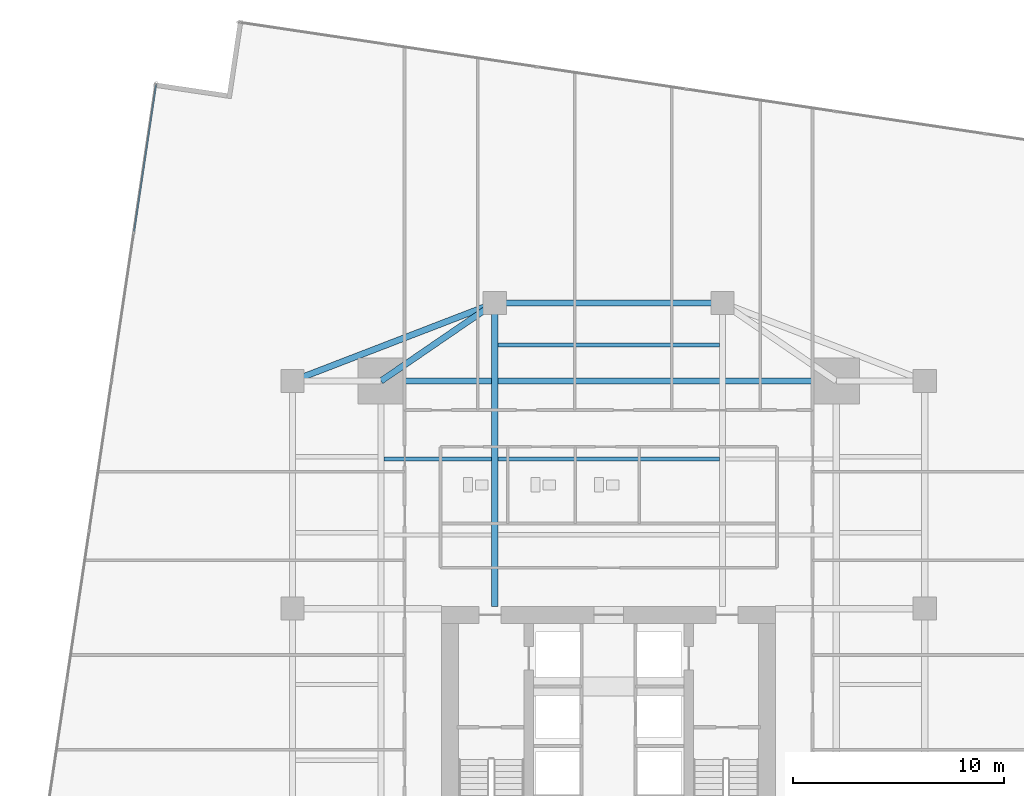
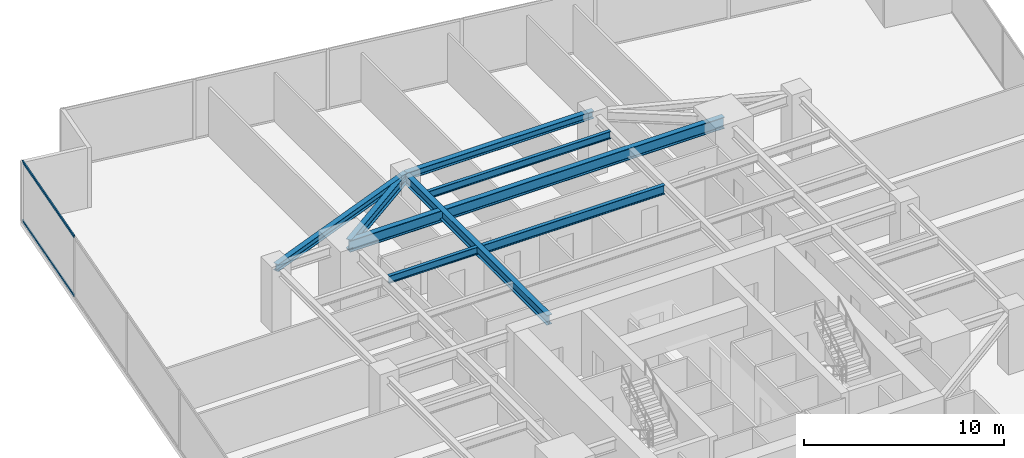
# One storey, part 17 of 29: 8 beams, 2 members, 1 element without a shape of its own.
"""IFC4 building model written with IfcOpenShell, lengths in metres."""

from ifc_helpers import new_model, si_unit, direction, frame, origin, origin_2d, place, context, subcontext, project, spatial, hollow_rectangle, i_section, extrude, source, transform, mapped, material, material_profile, profile_set, type_object, type_shapes, element, aggregate, save


model = new_model("IFC4")

# Units and contexts
model_context = context("Model", 3, precision=1e-05, world=origin(), true_north=direction((0.0, 1.0)))
body_context = subcontext(model_context, "Body", "Model", "MODEL_VIEW")
ifc_project = project(units=[si_unit("LENGTHUNIT", "METRE"), si_unit("AREAUNIT", "SQUARE_METRE"), si_unit("VOLUMEUNIT", "CUBIC_METRE"), si_unit("PLANEANGLEUNIT", "RADIAN"), si_unit("MASSUNIT", "GRAM", prefix="KILO")], contexts=[model_context])

# Site, building, storey
site_placement = place(None, origin())
site = spatial("IfcSite", under=ifc_project, at=site_placement, CompositionType="ELEMENT")
building_placement = place(site_placement, origin())
building = spatial("IfcBuilding", under=site, at=building_placement, Name="Krantzveldt Concourse Tower", CompositionType="ELEMENT")
storey_placement = place(building_placement, frame((0.0, 0.0, 72.39990234375)))
storey = spatial("IfcBuildingStorey", under=building, at=storey_placement, Name="L17", CompositionType="ELEMENT", Elevation=72.39990234375)

# Beams
ifc_material_1 = material(Name="Steel S355J2", Category="steel")
ifc_material_profile_1 = material_profile(ifc_material_1, i_section(OverallWidth=0.300048828125, OverallDepth=0.699951171875, WebThickness=0.01708984375, FlangeThickness=0.031982421875, FilletRadius=0.027099609375, at=origin_2d()), Name="Steel S355J2", Category="steel")
ifc_profile_set_1 = profile_set([ifc_material_profile_1], Name="Steel S355J2 - HEB 700")
beam_type_1 = type_object("IfcBeamType", Name="BM-B-HEB700", PredefinedType="BEAM", material=ifc_profile_set_1)
shared_shape_1 = source(origin(), body_context, "Body", "SweptSolid", [
    extrude(i_section(OverallWidth=0.300048828125, OverallDepth=0.699951171875, WebThickness=0.01708984375, FlangeThickness=0.031982421875, FilletRadius=0.027099609375, at=origin_2d()), origin(), (0.0, 0.0, 1.0), 21.60009765625),
])
type_shapes(beam_type_1, [shared_shape_1])
beam_1_placement = place(storey_placement, frame((25.199951171875, 37.5, 3.320068359375), z_axis=(1.0, 0.0, 0.0), x_axis=(0.0, 1.0, 0.0)))
element("IfcBeam", 1, at=beam_1_placement, inside=storey, type_object=beam_type_1, Name="L17 Tower Girder BG-MN", PredefinedType="BEAM", context=body_context, shape_type="MappedRepresentation", body=[
    mapped(shared_shape_1, transform((0.0, 0.0, 0.0), x_axis=(1.0, 0.0, 0.0), y_axis=(0.0, 1.0, 0.0), z_axis=(0.0, 0.0, 1.0), scale=1.0)),
])
ifc_material_2 = material(Name="Steel S355JR", Category="steel")
ifc_material_profile_2 = material_profile(ifc_material_2, i_section(OverallWidth=0.300048828125, OverallDepth=0.590087890625, WebThickness=0.012939453125, FlangeThickness=0.02490234375, FilletRadius=0.027099609375, at=origin_2d()), Name="Steel S355JR", Category="steel")
ifc_profile_set_2 = profile_set([ifc_material_profile_2], Name="Steel S355JR - HEA 600")
beam_type_2 = type_object("IfcBeamType", Name="BM-B-HEA600", PredefinedType="BEAM", material=ifc_profile_set_2)
shared_shape_2 = source(origin(), body_context, "Body", "SweptSolid", [
    extrude(i_section(OverallWidth=0.300048828125, OverallDepth=0.590087890625, WebThickness=0.012939453125, FlangeThickness=0.02490234375, FilletRadius=0.027099609375, at=origin_2d()), origin(), (0.0, 0.0, 1.0), 14.39990234375),
])
beam_2_placement = place(storey_placement, frame((30.60009765625, 26.800048828125, 3.375), z_axis=(0.0, 1.0, 0.0), x_axis=(-1.0, 0.0, 0.0)))
element("IfcBeam", 2, at=beam_2_placement, inside=storey, type_object=beam_type_2, Name="L17 Tower Girder BG-CNW", PredefinedType="BEAM", context=body_context, shape_type="MappedRepresentation", body=[
    mapped(shared_shape_2, transform((0.0, 0.0, 0.0), x_axis=(1.0, 0.0, 0.0), y_axis=(0.0, 1.0, 0.0), z_axis=(0.0, 0.0, 1.0), scale=1.0)),
])
ifc_material_profile_3 = material_profile(ifc_material_2, i_section(OverallWidth=0.300048828125, OverallDepth=0.43994140625, WebThickness=0.011474609375, FlangeThickness=0.02099609375, FilletRadius=0.027099609375, at=origin_2d()), Name="Steel S355JR", Category="steel")
ifc_profile_set_3 = profile_set([ifc_material_profile_3], Name="Steel S355JR - HEA 450")
beam_type_3 = type_object("IfcBeamType", Name="BM-SP-HEA450", PredefinedType="SPANDREL", material=ifc_profile_set_3)
shared_shape_3 = source(origin(), body_context, "Body", "SweptSolid", [
    extrude(i_section(OverallWidth=0.300048828125, OverallDepth=0.43994140625, WebThickness=0.011474609375, FlangeThickness=0.02099609375, FilletRadius=0.027099609375, at=origin_2d()), origin(), (0.0, 0.0, 1.0), 10.288330078125),
])
beam_3_placement = place(storey_placement, frame((21.0, 37.5, 3.4501953125), z_axis=(0.933097690408, 0.359622997257, 0.0), x_axis=(-0.359622997257, 0.933097690408, 0.0)))
element("IfcBeam", 3, at=beam_3_placement, inside=storey, type_object=beam_type_3, Name="L17 Tower Girder SP-R03", PredefinedType="SPANDREL", context=body_context, shape_type="MappedRepresentation", body=[
    mapped(shared_shape_3, transform((0.0, 0.0, 0.0), x_axis=(1.0, 0.0, 0.0), y_axis=(0.0, 1.0, 0.0), z_axis=(0.0, 0.0, 1.0), scale=1.0)),
])
shared_shape_4 = source(origin(), body_context, "Body", "SweptSolid", [
    extrude(i_section(OverallWidth=0.300048828125, OverallDepth=0.43994140625, WebThickness=0.011474609375, FlangeThickness=0.02099609375, FilletRadius=0.027099609375, at=origin_2d()), origin(), (0.0, 0.0, 1.0), 10.7998046875),
])
type_shapes(beam_type_3, [shared_shape_3, shared_shape_4])
beam_4_placement = place(storey_placement, frame((30.60009765625, 41.199951171875, 3.4501953125), z_axis=(1.0, 0.0, 0.0), x_axis=(0.0, 1.0, 0.0)))
element("IfcBeam", 4, at=beam_4_placement, inside=storey, type_object=beam_type_3, Name="L17 Tower Girder SP-R04", PredefinedType="SPANDREL", context=body_context, shape_type="MappedRepresentation", body=[
    mapped(shared_shape_4, transform((0.0, 0.0, 0.0), x_axis=(1.0, 0.0, 0.0), y_axis=(0.0, 1.0, 0.0), z_axis=(0.0, 0.0, 1.0), scale=1.0)),
])
shared_shape_5 = source(origin(), body_context, "Body", "SweptSolid", [
    extrude(i_section(OverallWidth=0.300048828125, OverallDepth=0.590087890625, WebThickness=0.012939453125, FlangeThickness=0.02490234375, FilletRadius=0.027099609375, at=origin_2d()), origin(), (0.0, 0.0, 1.0), 6.546142578125),
])
type_shapes(beam_type_2, [shared_shape_2, shared_shape_5])
beam_5_placement = place(storey_placement, frame((25.199951171875, 37.5, 3.375), z_axis=(0.824942999484, 0.565215930068, 0.0), x_axis=(-0.565215930068, 0.824942999484, 0.0)))
element("IfcBeam", 5, at=beam_5_placement, inside=storey, type_object=beam_type_2, Name="L17 Tower Girder BR-RL4", PredefinedType="BEAM", context=body_context, shape_type="MappedRepresentation", body=[
    mapped(shared_shape_5, transform((0.0, 0.0, 0.0), x_axis=(1.0, 0.0, 0.0), y_axis=(0.0, 1.0, 0.0), z_axis=(0.0, 0.0, 1.0), scale=1.0)),
])
ifc_material_profile_4 = material_profile(ifc_material_2, i_section(OverallWidth=0.2099609375, OverallDepth=0.550048828125, WebThickness=0.010986328125, FlangeThickness=0.01708984375, FilletRadius=0.02392578125, at=origin_2d()), Name="Steel S355JR", Category="steel")
ifc_profile_set_4 = profile_set([ifc_material_profile_4], Name="Steel S355JR - IPE 550")
beam_type_4 = type_object("IfcBeamType", Name="BM-J-IPE550", PredefinedType="JOIST", material=ifc_profile_set_4)
shared_shape_6 = source(origin(), body_context, "Body", "SweptSolid", [
    extrude(i_section(OverallWidth=0.2099609375, OverallDepth=0.550048828125, WebThickness=0.010986328125, FlangeThickness=0.01708984375, FilletRadius=0.02392578125, at=origin_2d()), origin(), (0.0, 0.0, 1.0), 10.5),
])
type_shapes(beam_type_4, [shared_shape_6])
beam_6_placement = place(storey_placement, frame((30.75, 33.800048828125, 3.39501953125), z_axis=(1.0, 0.0, 0.0), x_axis=(0.0, 1.0, 0.0)))
element("IfcBeam", 6, at=beam_6_placement, inside=storey, type_object=beam_type_4, Name="L17 Secondary Floor Joist JN-C2", PredefinedType="JOIST", context=body_context, shape_type="MappedRepresentation", body=[
    mapped(shared_shape_6, transform((0.0, 0.0, 0.0), x_axis=(1.0, 0.0, 0.0), y_axis=(0.0, 1.0, 0.0), z_axis=(0.0, 0.0, 1.0), scale=1.0)),
])
ifc_material_profile_5 = material_profile(ifc_material_2, i_section(OverallWidth=0.18994140625, OverallDepth=0.449951171875, WebThickness=0.009521484375, FlangeThickness=0.0146484375, FilletRadius=0.02099609375, at=origin_2d()), Name="Steel S355JR", Category="steel")
ifc_profile_set_5 = profile_set([ifc_material_profile_5], Name="Steel S355JR - IPE 450")
beam_type_5 = type_object("IfcBeamType", Name="BM-J-IPE450", PredefinedType="JOIST", material=ifc_profile_set_5)
shared_shape_7 = source(origin(), body_context, "Body", "SweptSolid", [
    extrude(i_section(OverallWidth=0.18994140625, OverallDepth=0.449951171875, WebThickness=0.009521484375, FlangeThickness=0.0146484375, FilletRadius=0.02099609375, at=origin_2d()), origin(), (0.0, 0.0, 1.0), 10.5),
])
beam_7_placement = place(storey_placement, frame((30.75, 39.199951171875, 3.445068359375), z_axis=(1.0, 0.0, 0.0), x_axis=(0.0, 1.0, 0.0)))
element("IfcBeam", 7, at=beam_7_placement, inside=storey, type_object=beam_type_5, Name="L17 Secondary Floor Joist JN-C3", PredefinedType="JOIST", context=body_context, shape_type="MappedRepresentation", body=[
    mapped(shared_shape_7, transform((0.0, 0.0, 0.0), x_axis=(1.0, 0.0, 0.0), y_axis=(0.0, 1.0, 0.0), z_axis=(0.0, 0.0, 1.0), scale=1.0)),
])
shared_shape_8 = source(origin(), body_context, "Body", "SweptSolid", [
    extrude(i_section(OverallWidth=0.18994140625, OverallDepth=0.449951171875, WebThickness=0.009521484375, FlangeThickness=0.0146484375, FilletRadius=0.02099609375, at=origin_2d()), origin(), (0.0, 0.0, 1.0), 5.099853515625),
])
type_shapes(beam_type_5, [shared_shape_7, shared_shape_8])
beam_8_placement = place(storey_placement, frame((25.35009765625, 33.800048828125, 3.445068359375), z_axis=(1.0, 0.0, 0.0), x_axis=(0.0, 1.0, 0.0)))
element("IfcBeam", 8, at=beam_8_placement, inside=storey, type_object=beam_type_5, Name="L17 Secondary Floor Joist JN-W2", PredefinedType="JOIST", context=body_context, shape_type="MappedRepresentation", body=[
    mapped(shared_shape_8, transform((0.0, 0.0, 0.0), x_axis=(1.0, 0.0, 0.0), y_axis=(0.0, 1.0, 0.0), z_axis=(0.0, 0.0, 1.0), scale=1.0)),
])

# Curtain wall, members
ifc_material_3 = material(Name="Anodised aluminium 6063-T6", Category="aluminium")
curtain_wall_type = type_object("IfcCurtainWallType", Name="CW2", PredefinedType="USERDEFINED", material=ifc_material_3)
curtain_wall_placement = place(storey_placement, origin())
curtain_wall = element("IfcCurtainWall", 9, at=curtain_wall_placement, inside=storey, type_object=curtain_wall_type, Name="CW-L17-F01", ObjectType="UNITISED CURTAIN WALL", PredefinedType="USERDEFINED")
ifc_material_profile_6 = material_profile(ifc_material_3, hollow_rectangle(XDim=0.070068359375, YDim=0.139892578125, WallThickness=0.0048828125, at=origin_2d()), Name="Anodised aluminium 6063-T6", Category="aluminium")
ifc_profile_set_6 = profile_set([ifc_material_profile_6], Name="Anodised aluminium 6063-T6 - ALU-TRAN 140x70x5")
member_type = type_object("IfcMemberType", Name="CW-TRN-150", PredefinedType="USERDEFINED", material=ifc_profile_set_6)
shared_shape_9 = source(origin(), body_context, "Body", "SweptSolid", [
    extrude(hollow_rectangle(XDim=0.070068359375, YDim=0.139892578125, WallThickness=0.0048828125, at=origin_2d()), origin(), (0.0, 0.0, 1.0), 7.061767578125),
])
type_shapes(member_type, [shared_shape_9])
member_1_placement = place(storey_placement, frame((14.53125, 51.57666015625, 0.03515625), z_axis=(-0.147831568187, -0.989012551714, 0.0), x_axis=(0.989012551714, -0.147831568187, 0.0)))
member_1 = element("IfcMember", 10, at=member_1_placement, type_object=member_type, Name="CW-Z12 transom 1.1", ObjectType="TRANSOM", PredefinedType="USERDEFINED", context=body_context, shape_type="MappedRepresentation", body=[
    mapped(shared_shape_9, transform((0.0, 0.0, 0.0), x_axis=(1.0, 0.0, 0.0), y_axis=(0.0, 1.0, 0.0), z_axis=(0.0, 0.0, 1.0), scale=1.0)),
])
member_2_placement = place(storey_placement, frame((14.53125, 51.57666015625, 3.635009765625), z_axis=(-0.147831568187, -0.989012551714, 0.0), x_axis=(0.989012551714, -0.147831568187, 0.0)))
member_2 = element("IfcMember", 11, at=member_2_placement, type_object=member_type, Name="CW-Z12 transom 1.2", ObjectType="TRANSOM", PredefinedType="USERDEFINED", context=body_context, shape_type="MappedRepresentation", body=[
    mapped(shared_shape_9, transform((0.0, 0.0, 0.0), x_axis=(1.0, 0.0, 0.0), y_axis=(0.0, 1.0, 0.0), z_axis=(0.0, 0.0, 1.0), scale=1.0)),
])
aggregate(curtain_wall, [member_1, member_2])

save(model, "model.ifc")
